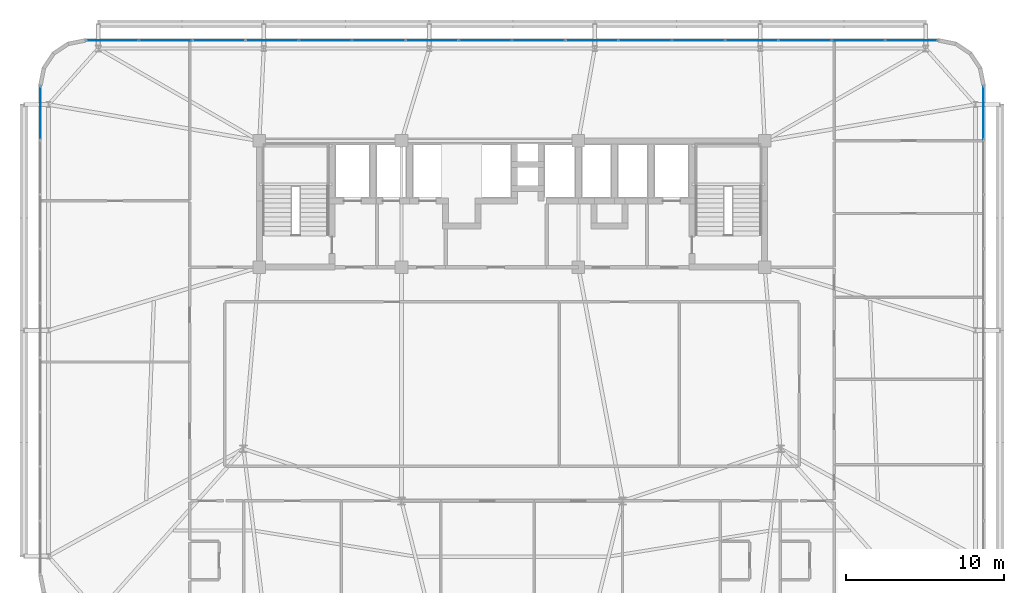
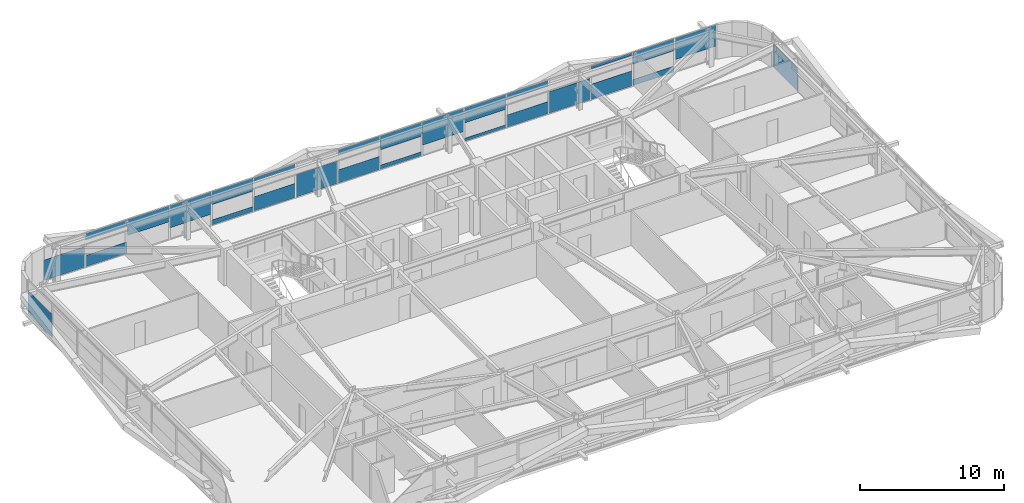
# One storey, part 43 of 58: 27 plates, 3 elements without a shape of their own.
"""IFC4 building model written with IfcOpenShell, lengths in metres."""

from ifc_helpers import new_model, si_unit, direction, frame, origin, origin_2d, place, context, subcontext, project, spatial, rectangle, extrude, source, transform, mapped, material, layer, layer_set, type_object, element, aggregate, save


model = new_model("IFC4")

# Units and contexts
model_context = context("Model", 3, precision=1e-05, world=origin(), true_north=direction((0.0, 1.0)))
body_context = subcontext(model_context, "Body", "Model", "MODEL_VIEW")
ifc_project = project(units=[si_unit("LENGTHUNIT", "METRE"), si_unit("AREAUNIT", "SQUARE_METRE"), si_unit("VOLUMEUNIT", "CUBIC_METRE"), si_unit("PLANEANGLEUNIT", "RADIAN"), si_unit("MASSUNIT", "GRAM", prefix="KILO")], contexts=[model_context])

# Site, building, storey
site_placement = place(None, origin())
site = spatial("IfcSite", under=ifc_project, at=site_placement, CompositionType="ELEMENT")
building_placement = place(site_placement, origin())
building = spatial("IfcBuilding", under=site, at=building_placement, Name="Taldren Reach Tower", CompositionType="ELEMENT")
storey_placement = place(building_placement, frame((0.0, 0.0, 51.449951171875)))
storey = spatial("IfcBuildingStorey", under=building, at=storey_placement, Name="L15", CompositionType="ELEMENT", Elevation=51.449951171875)

# Curtain wall, plates
ifc_material_1 = material(Name="Aluminium and Low-E Glass Unitised System", Category="aluminium")
ifc_layer_1 = layer(ifc_material_1, 0.159912109375)
ifc_layer_set_1 = layer_set([ifc_layer_1], Name="Aluminium and Low-E Glass Unitised System")
curtain_wall_type = type_object("IfcCurtainWallType", Name="CW-SYS-2", PredefinedType="NOTDEFINED", material=ifc_layer_set_1)
curtain_wall_1_placement = place(storey_placement, origin())
curtain_wall_1 = element("IfcCurtainWall", 1, at=curtain_wall_1_placement, inside=storey, type_object=curtain_wall_type, Name="Unitised curtain wall CW-L15-N", PredefinedType="NOTDEFINED")
ifc_material_2 = material(Name="Solar-Control Double Glazed IGU", Category="glass")
ifc_layer_2 = layer(ifc_material_2, 0.031982421875)
ifc_layer_set_2 = layer_set([ifc_layer_2], Name="Solar-Control Double Glazed IGU")
plate_type = type_object("IfcPlateType", Name="CW-PNL-IGU32", PredefinedType="CURTAIN_PANEL", material=ifc_layer_set_2)
shared_shape_1 = source(origin(), body_context, "Body", "SweptSolid", [
    extrude(rectangle(XDim=3.277587890625, YDim=0.031982421875, at=origin_2d()), origin(), (0.0, 0.0, 1.0), 1.73876953125),
])
plate_1_placement = place(storey_placement, frame((9.703857421875, 38.360107421875, 0.054931640625), z_axis=(0.0, 0.0, 1.0), x_axis=(-1.0, 0.0, 0.0)))
plate_1 = element("IfcPlate", 2, at=plate_1_placement, type_object=plate_type, Name="CW-2 panel 16.1 part 1", PredefinedType="CURTAIN_PANEL", context=body_context, shape_type="MappedRepresentation", body=[
    mapped(shared_shape_1, transform((0.0, 0.0, 0.0), scale=1.0)),
])
shared_shape_2 = source(origin(), body_context, "Body", "SweptSolid", [
    extrude(rectangle(XDim=3.31005859375, YDim=0.031982421875, at=origin_2d()), origin(), (0.0, 0.0, 1.0), 0.9560546875),
])
plate_2_placement = place(storey_placement, frame((13.0625, 38.360107421875, 0.05517578125), z_axis=(0.0, 0.0, 1.0), x_axis=(-1.0, 0.0, 0.0)))
plate_2 = element("IfcPlate", 3, at=plate_2_placement, type_object=plate_type, Name="CW-2 panel 15.1 part 1", PredefinedType="CURTAIN_PANEL", context=body_context, shape_type="MappedRepresentation", body=[
    mapped(shared_shape_2, transform((0.0, 0.0, 0.0), scale=1.0)),
])
shared_shape_3 = source(origin(), body_context, "Body", "SweptSolid", [
    extrude(rectangle(XDim=3.31005859375, YDim=0.031982421875, at=origin_2d()), origin(), (0.0, 0.0, 1.0), 0.562744140625),
])
plate_3_placement = place(storey_placement, frame((13.0625, 38.360107421875, 2.3125), z_axis=(0.0, 0.0, 1.0), x_axis=(-1.0, 0.0, 0.0)))
plate_3 = element("IfcPlate", 4, at=plate_3_placement, type_object=plate_type, Name="CW-2 panel 15.1 part 2", PredefinedType="CURTAIN_PANEL", context=body_context, shape_type="MappedRepresentation", body=[
    mapped(shared_shape_3, transform((0.0, 0.0, 0.0), scale=1.0)),
])
shared_shape_4 = source(origin(), body_context, "Body", "SweptSolid", [
    extrude(rectangle(XDim=3.31005859375, YDim=0.031982421875, at=origin_2d()), origin(), (0.0, 0.0, 1.0), 1.345458984375),
])
plate_4_placement = place(storey_placement, frame((16.4375, 38.360107421875, 1.52978515625), z_axis=(0.0, 0.0, 1.0), x_axis=(-1.0, 0.0, 0.0)))
plate_4 = element("IfcPlate", 5, at=plate_4_placement, type_object=plate_type, Name="CW-2 panel 14.1 part 1", PredefinedType="CURTAIN_PANEL", context=body_context, shape_type="MappedRepresentation", body=[
    mapped(shared_shape_4, transform((0.0, 0.0, 0.0), scale=1.0)),
])
shared_shape_5 = source(origin(), body_context, "Body", "SweptSolid", [
    extrude(rectangle(XDim=3.31005859375, YDim=0.031982421875, at=origin_2d()), origin(), (0.0, 0.0, 1.0), 1.881103515625),
])
plate_5_placement = place(storey_placement, frame((19.8125, 38.360107421875, 0.994140625), z_axis=(0.0, 0.0, 1.0), x_axis=(-1.0, 0.0, 0.0)))
plate_5 = element("IfcPlate", 6, at=plate_5_placement, type_object=plate_type, Name="CW-2 panel 13.1 part 1", PredefinedType="CURTAIN_PANEL", context=body_context, shape_type="MappedRepresentation", body=[
    mapped(shared_shape_5, transform((0.0, 0.0, 0.0), scale=1.0)),
])
shared_shape_6 = source(origin(), body_context, "Body", "SweptSolid", [
    extrude(rectangle(XDim=3.31005859375, YDim=0.031982421875, at=origin_2d()), origin(), (0.0, 0.0, 1.0), 0.42041015625),
])
plate_6_placement = place(storey_placement, frame((23.1875, 38.360107421875, 0.05517578125), z_axis=(0.0, 0.0, 1.0), x_axis=(-1.0, 0.0, 0.0)))
plate_6 = element("IfcPlate", 7, at=plate_6_placement, type_object=plate_type, Name="CW-2 panel 12.1 part 1", PredefinedType="CURTAIN_PANEL", context=body_context, shape_type="MappedRepresentation", body=[
    mapped(shared_shape_6, transform((0.0, 0.0, 0.0), scale=1.0)),
])
shared_shape_7 = source(origin(), body_context, "Body", "SweptSolid", [
    extrude(rectangle(XDim=3.31005859375, YDim=0.031982421875, at=origin_2d()), origin(), (0.0, 0.0, 1.0), 1.098388671875),
])
plate_7_placement = place(storey_placement, frame((23.1875, 38.360107421875, 1.77685546875), z_axis=(0.0, 0.0, 1.0), x_axis=(-1.0, 0.0, 0.0)))
plate_7 = element("IfcPlate", 8, at=plate_7_placement, type_object=plate_type, Name="CW-2 panel 12.1 part 2", PredefinedType="CURTAIN_PANEL", context=body_context, shape_type="MappedRepresentation", body=[
    mapped(shared_shape_7, transform((0.0, 0.0, 0.0), scale=1.0)),
])
shared_shape_8 = source(origin(), body_context, "Body", "SweptSolid", [
    extrude(rectangle(XDim=3.31005859375, YDim=0.031982421875, at=origin_2d()), origin(), (0.0, 0.0, 1.0), 1.203125),
])
plate_8_placement = place(storey_placement, frame((26.5625, 38.360107421875, 0.054931640625), z_axis=(0.0, 0.0, 1.0), x_axis=(-1.0, 0.0, 0.0)))
plate_8 = element("IfcPlate", 9, at=plate_8_placement, type_object=plate_type, Name="CW-2 panel 11.1 part 1", PredefinedType="CURTAIN_PANEL", context=body_context, shape_type="MappedRepresentation", body=[
    mapped(shared_shape_8, transform((0.0, 0.0, 0.0), scale=1.0)),
])
shared_shape_9 = source(origin(), body_context, "Body", "SweptSolid", [
    extrude(rectangle(XDim=3.31005859375, YDim=0.031982421875, at=origin_2d()), origin(), (0.0, 0.0, 1.0), 0.31591796875),
])
plate_9_placement = place(storey_placement, frame((26.5625, 38.360107421875, 2.55908203125), z_axis=(0.0, 0.0, 1.0), x_axis=(-1.0, 0.0, 0.0)))
plate_9 = element("IfcPlate", 10, at=plate_9_placement, type_object=plate_type, Name="CW-2 panel 11.1 part 2", PredefinedType="CURTAIN_PANEL", context=body_context, shape_type="MappedRepresentation", body=[
    mapped(shared_shape_9, transform((0.0, 0.0, 0.0), scale=1.0)),
])
shared_shape_10 = source(origin(), body_context, "Body", "SweptSolid", [
    extrude(rectangle(XDim=3.31005859375, YDim=0.031982421875, at=origin_2d()), origin(), (0.0, 0.0, 1.0), 1.9033203125),
])
plate_10_placement = place(storey_placement, frame((29.9375, 38.360107421875, 0.05517578125), z_axis=(0.0, 0.0, 1.0), x_axis=(-1.0, 0.0, 0.0)))
plate_10 = element("IfcPlate", 11, at=plate_10_placement, type_object=plate_type, Name="CW-2 panel 10.1 part 1", PredefinedType="CURTAIN_PANEL", context=body_context, shape_type="MappedRepresentation", body=[
    mapped(shared_shape_10, transform((0.0, 0.0, 0.0), scale=1.0)),
])
shared_shape_11 = source(origin(), body_context, "Body", "SweptSolid", [
    extrude(rectangle(XDim=3.31005859375, YDim=0.031982421875, at=origin_2d()), origin(), (0.0, 0.0, 1.0), 1.120849609375),
])
plate_11_placement = place(storey_placement, frame((33.3125, 38.360107421875, 0.05517578125), z_axis=(0.0, 0.0, 1.0), x_axis=(-1.0, 0.0, 0.0)))
plate_11 = element("IfcPlate", 12, at=plate_11_placement, type_object=plate_type, Name="CW-2 panel 9.1 part 1", PredefinedType="CURTAIN_PANEL", context=body_context, shape_type="MappedRepresentation", body=[
    mapped(shared_shape_11, transform((0.0, 0.0, 0.0), scale=1.0)),
])
shared_shape_12 = source(origin(), body_context, "Body", "SweptSolid", [
    extrude(rectangle(XDim=3.31005859375, YDim=0.031982421875, at=origin_2d()), origin(), (0.0, 0.0, 1.0), 0.398193359375),
])
plate_12_placement = place(storey_placement, frame((33.3125, 38.360107421875, 2.47705078125), z_axis=(0.0, 0.0, 1.0), x_axis=(-1.0, 0.0, 0.0)))
plate_12 = element("IfcPlate", 13, at=plate_12_placement, type_object=plate_type, Name="CW-2 panel 9.1 part 2", PredefinedType="CURTAIN_PANEL", context=body_context, shape_type="MappedRepresentation", body=[
    mapped(shared_shape_12, transform((0.0, 0.0, 0.0), scale=1.0)),
])
shared_shape_13 = source(origin(), body_context, "Body", "SweptSolid", [
    extrude(rectangle(XDim=3.31005859375, YDim=0.031982421875, at=origin_2d()), origin(), (0.0, 0.0, 1.0), 0.338134765625),
])
plate_13_placement = place(storey_placement, frame((36.6875, 38.360107421875, 0.05517578125), z_axis=(0.0, 0.0, 1.0), x_axis=(-1.0, 0.0, 0.0)))
plate_13 = element("IfcPlate", 14, at=plate_13_placement, type_object=plate_type, Name="CW-2 panel 8.1 part 1", PredefinedType="CURTAIN_PANEL", context=body_context, shape_type="MappedRepresentation", body=[
    mapped(shared_shape_13, transform((0.0, 0.0, 0.0), scale=1.0)),
])
shared_shape_14 = source(origin(), body_context, "Body", "SweptSolid", [
    extrude(rectangle(XDim=3.31005859375, YDim=0.031982421875, at=origin_2d()), origin(), (0.0, 0.0, 1.0), 1.1806640625),
])
plate_14_placement = place(storey_placement, frame((36.6875, 38.360107421875, 1.6943359375), z_axis=(0.0, 0.0, 1.0), x_axis=(-1.0, 0.0, 0.0)))
plate_14 = element("IfcPlate", 15, at=plate_14_placement, type_object=plate_type, Name="CW-2 panel 8.1 part 2", PredefinedType="CURTAIN_PANEL", context=body_context, shape_type="MappedRepresentation", body=[
    mapped(shared_shape_14, transform((0.0, 0.0, 0.0), scale=1.0)),
])
shared_shape_15 = source(origin(), body_context, "Body", "SweptSolid", [
    extrude(rectangle(XDim=3.31005859375, YDim=0.031982421875, at=origin_2d()), origin(), (0.0, 0.0, 1.0), 1.96337890625),
])
plate_15_placement = place(storey_placement, frame((40.0625, 38.360107421875, 0.91162109375), z_axis=(0.0, 0.0, 1.0), x_axis=(-1.0, 0.0, 0.0)))
plate_15 = element("IfcPlate", 16, at=plate_15_placement, type_object=plate_type, Name="CW-2 panel 7.1 part 1", PredefinedType="CURTAIN_PANEL", context=body_context, shape_type="MappedRepresentation", body=[
    mapped(shared_shape_15, transform((0.0, 0.0, 0.0), scale=1.0)),
])
shared_shape_16 = source(origin(), body_context, "Body", "SweptSolid", [
    extrude(rectangle(XDim=3.31005859375, YDim=0.031982421875, at=origin_2d()), origin(), (0.0, 0.0, 1.0), 0.255859375),
])
plate_16_placement = place(storey_placement, frame((43.4375, 38.360107421875, 0.05517578125), z_axis=(0.0, 0.0, 1.0), x_axis=(-1.0, 0.0, 0.0)))
plate_16 = element("IfcPlate", 17, at=plate_16_placement, type_object=plate_type, Name="CW-2 panel 6.1 part 1", PredefinedType="CURTAIN_PANEL", context=body_context, shape_type="MappedRepresentation", body=[
    mapped(shared_shape_16, transform((0.0, 0.0, 0.0), scale=1.0)),
])
shared_shape_17 = source(origin(), body_context, "Body", "SweptSolid", [
    extrude(rectangle(XDim=3.31005859375, YDim=0.031982421875, at=origin_2d()), origin(), (0.0, 0.0, 1.0), 1.26318359375),
])
plate_17_placement = place(storey_placement, frame((43.4375, 38.360107421875, 1.61181640625), z_axis=(0.0, 0.0, 1.0), x_axis=(-1.0, 0.0, 0.0)))
plate_17 = element("IfcPlate", 18, at=plate_17_placement, type_object=plate_type, Name="CW-2 panel 6.1 part 2", PredefinedType="CURTAIN_PANEL", context=body_context, shape_type="MappedRepresentation", body=[
    mapped(shared_shape_17, transform((0.0, 0.0, 0.0), scale=1.0)),
])
shared_shape_18 = source(origin(), body_context, "Body", "SweptSolid", [
    extrude(rectangle(XDim=3.31005859375, YDim=0.031982421875, at=origin_2d()), origin(), (0.0, 0.0, 1.0), 1.03857421875),
])
plate_18_placement = place(storey_placement, frame((46.8125, 38.360107421875, 0.054931640625), z_axis=(0.0, 0.0, 1.0), x_axis=(-1.0, 0.0, 0.0)))
plate_18 = element("IfcPlate", 19, at=plate_18_placement, type_object=plate_type, Name="CW-2 panel 5.1 part 1", PredefinedType="CURTAIN_PANEL", context=body_context, shape_type="MappedRepresentation", body=[
    mapped(shared_shape_18, transform((0.0, 0.0, 0.0), scale=1.0)),
])
shared_shape_19 = source(origin(), body_context, "Body", "SweptSolid", [
    extrude(rectangle(XDim=3.31005859375, YDim=0.031982421875, at=origin_2d()), origin(), (0.0, 0.0, 1.0), 0.48046875),
])
plate_19_placement = place(storey_placement, frame((46.8125, 38.360107421875, 2.39453125), z_axis=(0.0, 0.0, 1.0), x_axis=(-1.0, 0.0, 0.0)))
plate_19 = element("IfcPlate", 20, at=plate_19_placement, type_object=plate_type, Name="CW-2 panel 5.1 part 2", PredefinedType="CURTAIN_PANEL", context=body_context, shape_type="MappedRepresentation", body=[
    mapped(shared_shape_19, transform((0.0, 0.0, 0.0), scale=1.0)),
])
shared_shape_20 = source(origin(), body_context, "Body", "SweptSolid", [
    extrude(rectangle(XDim=3.31005859375, YDim=0.031982421875, at=origin_2d()), origin(), (0.0, 0.0, 1.0), 1.821044921875),
])
plate_20_placement = place(storey_placement, frame((50.1875, 38.360107421875, 0.05517578125), z_axis=(0.0, 0.0, 1.0), x_axis=(-1.0, 0.0, 0.0)))
plate_20 = element("IfcPlate", 21, at=plate_20_placement, type_object=plate_type, Name="CW-2 panel 4.1 part 1", PredefinedType="CURTAIN_PANEL", context=body_context, shape_type="MappedRepresentation", body=[
    mapped(shared_shape_20, transform((0.0, 0.0, 0.0), scale=1.0)),
])
shared_shape_21 = source(origin(), body_context, "Body", "SweptSolid", [
    extrude(rectangle(XDim=3.31005859375, YDim=0.031982421875, at=origin_2d()), origin(), (0.0, 0.0, 1.0), 1.285400390625),
])
plate_21_placement = place(storey_placement, frame((53.5625, 38.360107421875, 0.05517578125), z_axis=(0.0, 0.0, 1.0), x_axis=(-1.0, 0.0, 0.0)))
plate_21 = element("IfcPlate", 22, at=plate_21_placement, type_object=plate_type, Name="CW-2 panel 3.1 part 1", PredefinedType="CURTAIN_PANEL", context=body_context, shape_type="MappedRepresentation", body=[
    mapped(shared_shape_21, transform((0.0, 0.0, 0.0), scale=1.0)),
])
shared_shape_22 = source(origin(), body_context, "Body", "SweptSolid", [
    extrude(rectangle(XDim=3.31005859375, YDim=0.031982421875, at=origin_2d()), origin(), (0.0, 0.0, 1.0), 0.233642578125),
])
plate_22_placement = place(storey_placement, frame((53.5625, 38.360107421875, 2.6416015625), z_axis=(0.0, 0.0, 1.0), x_axis=(-1.0, 0.0, 0.0)))
plate_22 = element("IfcPlate", 23, at=plate_22_placement, type_object=plate_type, Name="CW-2 panel 3.1 part 2", PredefinedType="CURTAIN_PANEL", context=body_context, shape_type="MappedRepresentation", body=[
    mapped(shared_shape_22, transform((0.0, 0.0, 0.0), scale=1.0)),
])
shared_shape_23 = source(origin(), body_context, "Body", "SweptSolid", [
    extrude(rectangle(XDim=3.31005859375, YDim=0.031982421875, at=origin_2d()), origin(), (0.0, 0.0, 1.0), 0.5029296875),
])
plate_23_placement = place(storey_placement, frame((56.9375, 38.360107421875, 0.054931640625), z_axis=(0.0, 0.0, 1.0), x_axis=(-1.0, 0.0, 0.0)))
plate_23 = element("IfcPlate", 24, at=plate_23_placement, type_object=plate_type, Name="CW-2 panel 2.1 part 1", PredefinedType="CURTAIN_PANEL", context=body_context, shape_type="MappedRepresentation", body=[
    mapped(shared_shape_23, transform((0.0, 0.0, 0.0), scale=1.0)),
])
shared_shape_24 = source(origin(), body_context, "Body", "SweptSolid", [
    extrude(rectangle(XDim=3.31005859375, YDim=0.031982421875, at=origin_2d()), origin(), (0.0, 0.0, 1.0), 1.01611328125),
])
plate_24_placement = place(storey_placement, frame((56.9375, 38.360107421875, 1.85888671875), z_axis=(0.0, 0.0, 1.0), x_axis=(-1.0, 0.0, 0.0)))
plate_24 = element("IfcPlate", 25, at=plate_24_placement, type_object=plate_type, Name="CW-2 panel 2.1 part 2", PredefinedType="CURTAIN_PANEL", context=body_context, shape_type="MappedRepresentation", body=[
    mapped(shared_shape_24, transform((0.0, 0.0, 0.0), scale=1.0)),
])
shared_shape_25 = source(origin(), body_context, "Body", "SweptSolid", [
    extrude(rectangle(XDim=3.277587890625, YDim=0.031982421875, at=origin_2d()), origin(), (0.0, 0.0, 1.0), 1.798583984375),
])
plate_25_placement = place(storey_placement, frame((60.296142578125, 38.360107421875, 1.076171875), z_axis=(0.0, 0.0, 1.0), x_axis=(-1.0, 0.0, 0.0)))
plate_25 = element("IfcPlate", 26, at=plate_25_placement, type_object=plate_type, Name="CW-2 panel 1.1 part 1", PredefinedType="CURTAIN_PANEL", context=body_context, shape_type="MappedRepresentation", body=[
    mapped(shared_shape_25, transform((0.0, 0.0, 0.0), scale=1.0)),
])
aggregate(curtain_wall_1, [plate_25, plate_23, plate_24, plate_21, plate_22, plate_20, plate_18, plate_19, plate_16, plate_17, plate_15, plate_13, plate_14, plate_11, plate_12, plate_10, plate_8, plate_9, plate_6, plate_7, plate_5, plate_4, plate_2, plate_3, plate_1])

# Curtain wall, plate
curtain_wall_2_placement = place(storey_placement, origin())
curtain_wall_2 = element("IfcCurtainWall", 27, at=curtain_wall_2_placement, inside=storey, type_object=curtain_wall_type, Name="Unitised curtain wall CW-L15-W", PredefinedType="NOTDEFINED")
shared_shape_26 = source(origin(), body_context, "Body", "SweptSolid", [
    extrude(rectangle(XDim=3.346923828125, YDim=0.031982421875, at=origin_2d()), origin(), (0.0, 0.0, 1.0), 1.95556640625),
])
plate_26_placement = place(storey_placement, frame((5.139892578125, 33.761474609375, 0.054931640625), z_axis=(0.0, 0.0, 1.0), x_axis=(0.0, -1.0, 0.0)))
plate_26 = element("IfcPlate", 28, at=plate_26_placement, type_object=plate_type, Name="CW-2 panel 1.1 part 1", PredefinedType="CURTAIN_PANEL", context=body_context, shape_type="MappedRepresentation", body=[
    mapped(shared_shape_26, transform((0.0, 0.0, 0.0), scale=1.0)),
])
aggregate(curtain_wall_2, [plate_26])

curtain_wall_3_placement = place(storey_placement, origin())
curtain_wall_3 = element("IfcCurtainWall", 29, at=curtain_wall_3_placement, inside=storey, type_object=curtain_wall_type, Name="Unitised curtain wall CW-L15-E", PredefinedType="NOTDEFINED")
plate_27_placement = place(storey_placement, frame((64.860107421875, 33.761474609375, 0.054931640625), z_axis=(0.0, 0.0, 1.0), x_axis=(0.0, 1.0, 0.0)))
plate_27 = element("IfcPlate", 30, at=plate_27_placement, type_object=plate_type, Name="CW-2 panel 9.1 part 1", PredefinedType="CURTAIN_PANEL", context=body_context, shape_type="MappedRepresentation", body=[
    mapped(shared_shape_26, transform((0.0, 0.0, 0.0), scale=1.0)),
])
aggregate(curtain_wall_3, [plate_27])

save(model, "model.ifc")
